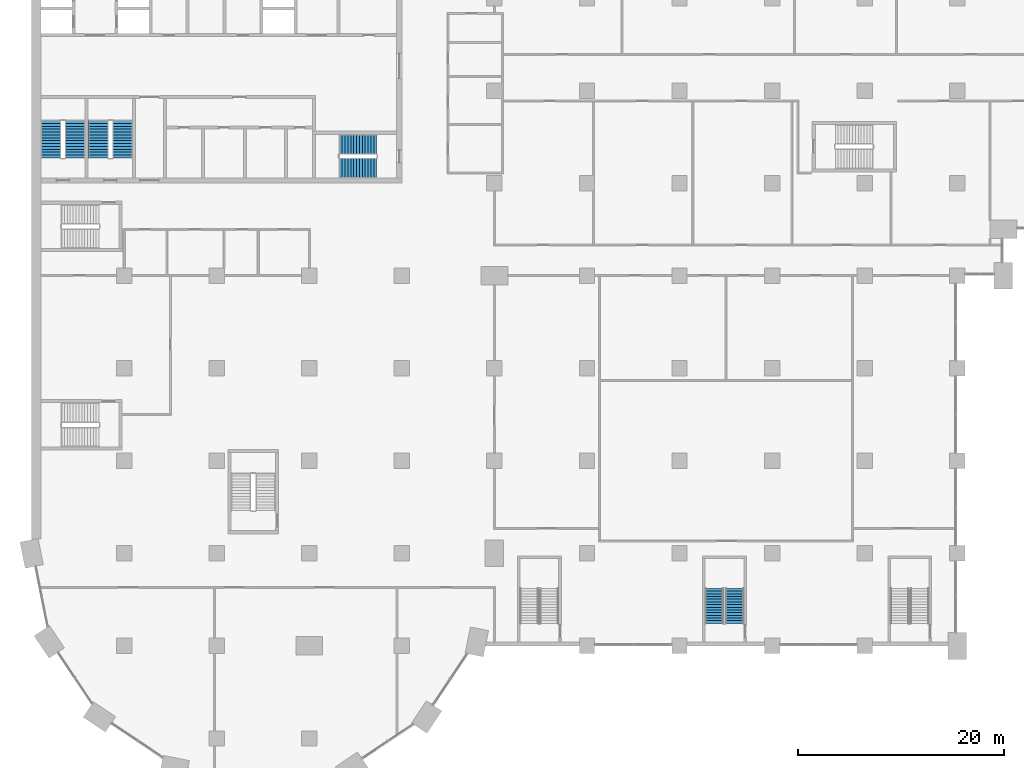
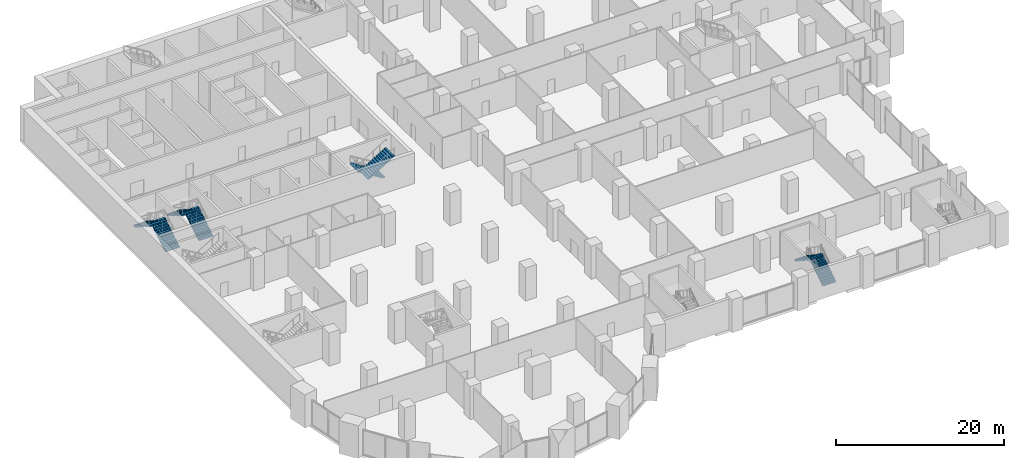
# One storey, part 22 of 31: 8 stair flights, 4 elements without a shape of their own.
"""IFC4 building model written with IfcOpenShell, lengths in metres."""

from ifc_helpers import new_model, si_unit, direction, frame, origin, place, context, subcontext, project, spatial, polyline, outline, extrude, material, type_object, element, aggregate, save


model = new_model("IFC4")

# Units and contexts
model_context = context("Model", 3, precision=1e-05, world=origin(), true_north=direction((0.0, 1.0)))
body_context = subcontext(model_context, "Body", "Model", "MODEL_VIEW")
ifc_project = project(units=[si_unit("LENGTHUNIT", "METRE"), si_unit("AREAUNIT", "SQUARE_METRE"), si_unit("VOLUMEUNIT", "CUBIC_METRE"), si_unit("PLANEANGLEUNIT", "RADIAN"), si_unit("MASSUNIT", "GRAM", prefix="KILO")], contexts=[model_context])

# Site, building, storey
site_placement = place(None, origin())
site = spatial("IfcSite", under=ifc_project, at=site_placement, CompositionType="ELEMENT")
building_placement = place(site_placement, origin())
building = spatial("IfcBuilding", under=site, at=building_placement, Name="Hunhe Ridgeline Campus", CompositionType="ELEMENT")
storey_placement = place(building_placement, frame((0.0, 0.0, 16.800048828125)))
storey = spatial("IfcBuildingStorey", under=building, at=storey_placement, Name="L03", CompositionType="ELEMENT", Elevation=16.800048828125)

# Stair, stair flights
ifc_material = material(Name="Concrete C40", Category="concrete")
stair_type_1 = type_object("IfcStairType", Name="Podium exit stair 1800", PredefinedType="HALF_TURN_STAIR", material=ifc_material)
stair_1_placement = place(storey_placement, origin())
stair_1 = element("IfcStair", 1, at=stair_1_placement, inside=storey, type_object=stair_type_1, Name="L03 podium stair PS2", PredefinedType="HALF_TURN_STAIR")
stair_flight_type_1 = type_object("IfcStairFlightType", Name="Podium stair flight 1800", PredefinedType="STRAIGHT", material=ifc_material)
stair_flight_1_placement = place(storey_placement, frame((68.35009765625, 20.199951171875, 0.0), z_axis=(0.0, 0.0, 1.0), x_axis=(0.0, 1.0, 0.0)))
stair_flight_1 = element("IfcStairFlight", 2, at=stair_flight_1_placement, type_object=stair_flight_type_1, Name="PS2 flight 1", NumberOfRisers=14, NumberOfTreads=13, PredefinedType="STRAIGHT", RiserHeight=0.171428571, TreadLength=0.26, context=body_context, shape_type="SweptSolid", body=[
    extrude(outline(polyline([(0.0, 0.0), (0.0, 0.17138671875), (0.260009765625, 0.17138671875), (0.260009765625, 0.3427734375), (0.52001953125, 0.3427734375), (0.52001953125, 0.514404296875), (0.780029296875, 0.514404296875), (0.780029296875, 0.685791015625), (1.0400390625, 0.685791015625), (1.0400390625, 0.857177734375), (1.300048828125, 0.857177734375), (1.300048828125, 1.028564453125), (1.56005859375, 1.028564453125), (1.56005859375, 1.199951171875), (1.820068359375, 1.199951171875), (1.820068359375, 1.371337890625), (2.080078125, 1.371337890625), (2.080078125, 1.54296875), (2.340087890625, 1.54296875), (2.340087890625, 1.71435546875), (2.60009765625, 1.71435546875), (2.60009765625, 1.8857421875), (2.860107421875, 1.8857421875), (2.860107421875, 2.05712890625), (3.1201171875, 2.05712890625), (3.1201171875, 2.228515625), (3.3798828125, 2.228515625), (3.3798828125, 2.39990234375), (3.3798828125, 2.049072265625), (0.272216796875, 0.0), (0.0, 0.0)])), frame((0.0, 0.89990234375, 0.0), z_axis=(0.0, -1.0, 0.0), x_axis=(1.0, 0.0, 0.0)), (0.0, 0.0, 1.0), 1.800048828125),
])
stair_flight_2_placement = place(storey_placement, frame((66.39990234375, 23.580078125, 2.39990234375), z_axis=(0.0, 0.0, 1.0), x_axis=(0.0, -1.0, 0.0)))
stair_flight_2 = element("IfcStairFlight", 3, at=stair_flight_2_placement, type_object=stair_flight_type_1, Name="PS2 flight 2", NumberOfRisers=14, NumberOfTreads=13, PredefinedType="STRAIGHT", RiserHeight=0.171428571, TreadLength=0.26, context=body_context, shape_type="SweptSolid", body=[
    extrude(outline(polyline([(0.0, 0.0), (0.0, 0.17138671875), (0.260009765625, 0.17138671875), (0.260009765625, 0.3427734375), (0.52001953125, 0.3427734375), (0.52001953125, 0.514404296875), (0.780029296875, 0.514404296875), (0.780029296875, 0.685791015625), (1.0400390625, 0.685791015625), (1.0400390625, 0.857177734375), (1.300048828125, 0.857177734375), (1.300048828125, 1.028564453125), (1.56005859375, 1.028564453125), (1.56005859375, 1.199951171875), (1.820068359375, 1.199951171875), (1.820068359375, 1.371337890625), (2.080078125, 1.371337890625), (2.080078125, 1.54296875), (2.340087890625, 1.54296875), (2.340087890625, 1.71435546875), (2.60009765625, 1.71435546875), (2.60009765625, 1.8857421875), (2.860107421875, 1.8857421875), (2.860107421875, 2.05712890625), (3.1201171875, 2.05712890625), (3.1201171875, 2.228515625), (3.3798828125, 2.228515625), (3.3798828125, 2.39990234375), (3.3798828125, 2.049072265625), (0.272216796875, 0.0), (0.0, 0.0)])), frame((0.0, 0.89990234375, 0.0), z_axis=(0.0, -1.0, 0.0), x_axis=(1.0, 0.0, 0.0)), (0.0, 0.0, 1.0), 1.800048828125),
])
aggregate(stair_1, [stair_flight_1, stair_flight_2])

stair_type_2 = type_object("IfcStairType", Name="Reinforced concrete dog-leg stair 1950 Concrete C40", PredefinedType="HALF_TURN_STAIR", material=ifc_material)
stair_2_placement = place(storey_placement, origin())
stair_2 = element("IfcStair", 4, at=stair_2_placement, inside=storey, type_object=stair_type_2, Name="L03 S2", PredefinedType="HALF_TURN_STAIR")
stair_flight_type_2 = type_object("IfcStairFlightType", Name="Reinforced concrete stair flight 1950 Concrete C40", PredefinedType="STRAIGHT", material=ifc_material)
stair_flight_3_placement = place(storey_placement, frame((33.550048828125, 66.77490234375, 0.0), z_axis=(0.0, 0.0, 1.0), x_axis=(-1.0, 0.0, 0.0)))
stair_flight_3 = element("IfcStairFlight", 5, at=stair_flight_3_placement, type_object=stair_flight_type_2, Name="ST2 flight 1", NumberOfRisers=14, NumberOfTreads=13, PredefinedType="STRAIGHT", RiserHeight=0.171428571, TreadLength=0.28, context=body_context, shape_type="SweptSolid", body=[
    extrude(outline(polyline([(0.0, 0.0), (0.0, 0.17138671875), (0.280029296875, 0.17138671875), (0.280029296875, 0.3427734375), (0.56005859375, 0.3427734375), (0.56005859375, 0.514404296875), (0.840087890625, 0.514404296875), (0.840087890625, 0.685791015625), (1.1201171875, 0.685791015625), (1.1201171875, 0.857177734375), (1.39990234375, 0.857177734375), (1.39990234375, 1.028564453125), (1.679931640625, 1.028564453125), (1.679931640625, 1.199951171875), (1.9599609375, 1.199951171875), (1.9599609375, 1.371337890625), (2.239990234375, 1.371337890625), (2.239990234375, 1.54296875), (2.52001953125, 1.54296875), (2.52001953125, 1.71435546875), (2.800048828125, 1.71435546875), (2.800048828125, 1.8857421875), (3.080078125, 1.8857421875), (3.080078125, 2.05712890625), (3.360107421875, 2.05712890625), (3.360107421875, 2.228515625), (3.639892578125, 2.228515625), (3.639892578125, 2.39990234375), (3.639892578125, 2.052734375), (0.287109375, 0.0), (0.0, 0.0)])), frame((0.0, 0.97509765625, 0.0), z_axis=(0.0, -1.0, 0.0), x_axis=(1.0, 0.0, 0.0)), (0.0, 0.0, 1.0), 1.949951171875),
    extrude(outline(polyline([(0.030029296875, 0.030029296875), (0.030029296875, 0.141357421875), (0.31005859375, 0.141357421875), (0.31005859375, 0.31298828125), (0.590087890625, 0.31298828125), (0.590087890625, 0.484375), (0.8701171875, 0.484375), (0.8701171875, 0.65576171875), (1.14990234375, 0.65576171875), (1.14990234375, 0.8271484375), (1.429931640625, 0.8271484375), (1.429931640625, 0.99853515625), (1.7099609375, 0.99853515625), (1.7099609375, 1.169921875), (1.989990234375, 1.169921875), (1.989990234375, 1.34130859375), (2.27001953125, 1.34130859375), (2.27001953125, 1.512939453125), (2.550048828125, 1.512939453125), (2.550048828125, 1.684326171875), (2.830078125, 1.684326171875), (2.830078125, 1.855712890625), (3.110107421875, 1.855712890625), (3.110107421875, 2.027099609375), (3.389892578125, 2.027099609375), (3.389892578125, 2.198486328125), (3.610107421875, 2.198486328125), (3.610107421875, 2.069580078125), (0.278564453125, 0.030029296875), (0.030029296875, 0.030029296875)])), frame((0.0, -0.070068359375, 0.0), z_axis=(0.0, -1.0, 0.0), x_axis=(1.0, 0.0, 0.0)), (0.0, 0.0, 1.0), 0.019775390625),
    extrude(outline(polyline([(0.030029296875, 0.030029296875), (0.030029296875, 0.141357421875), (0.31005859375, 0.141357421875), (0.31005859375, 0.31298828125), (0.590087890625, 0.31298828125), (0.590087890625, 0.484375), (0.8701171875, 0.484375), (0.8701171875, 0.65576171875), (1.14990234375, 0.65576171875), (1.14990234375, 0.8271484375), (1.429931640625, 0.8271484375), (1.429931640625, 0.99853515625), (1.7099609375, 0.99853515625), (1.7099609375, 1.169921875), (1.989990234375, 1.169921875), (1.989990234375, 1.34130859375), (2.27001953125, 1.34130859375), (2.27001953125, 1.512939453125), (2.550048828125, 1.512939453125), (2.550048828125, 1.684326171875), (2.830078125, 1.684326171875), (2.830078125, 1.855712890625), (3.110107421875, 1.855712890625), (3.110107421875, 2.027099609375), (3.389892578125, 2.027099609375), (3.389892578125, 2.198486328125), (3.610107421875, 2.198486328125), (3.610107421875, 2.069580078125), (0.278564453125, 0.030029296875), (0.030029296875, 0.030029296875)])), frame((0.0, 0.010009765625, 0.0), z_axis=(0.0, -1.0, 0.0), x_axis=(1.0, 0.0, 0.0)), (0.0, 0.0, 1.0), 0.019775390625),
    extrude(outline(polyline([(0.030029296875, 0.030029296875), (0.030029296875, 0.141357421875), (0.31005859375, 0.141357421875), (0.31005859375, 0.31298828125), (0.590087890625, 0.31298828125), (0.590087890625, 0.484375), (0.8701171875, 0.484375), (0.8701171875, 0.65576171875), (1.14990234375, 0.65576171875), (1.14990234375, 0.8271484375), (1.429931640625, 0.8271484375), (1.429931640625, 0.99853515625), (1.7099609375, 0.99853515625), (1.7099609375, 1.169921875), (1.989990234375, 1.169921875), (1.989990234375, 1.34130859375), (2.27001953125, 1.34130859375), (2.27001953125, 1.512939453125), (2.550048828125, 1.512939453125), (2.550048828125, 1.684326171875), (2.830078125, 1.684326171875), (2.830078125, 1.855712890625), (3.110107421875, 1.855712890625), (3.110107421875, 2.027099609375), (3.389892578125, 2.027099609375), (3.389892578125, 2.198486328125), (3.610107421875, 2.198486328125), (3.610107421875, 2.069580078125), (0.278564453125, 0.030029296875), (0.030029296875, 0.030029296875)])), frame((0.0, 0.090087890625, 0.0), z_axis=(0.0, -1.0, 0.0), x_axis=(1.0, 0.0, 0.0)), (0.0, 0.0, 1.0), 0.019775390625),
])
stair_flight_4_placement = place(storey_placement, frame((29.909912109375, 64.47509765625, 2.39990234375), z_axis=(0.0, 0.0, 1.0), x_axis=(1.0, 0.0, 0.0)))
stair_flight_4 = element("IfcStairFlight", 6, at=stair_flight_4_placement, type_object=stair_flight_type_2, Name="ST2 flight 2", NumberOfRisers=14, NumberOfTreads=13, PredefinedType="STRAIGHT", RiserHeight=0.171428571, TreadLength=0.28, context=body_context, shape_type="SweptSolid", body=[
    extrude(outline(polyline([(0.0, 0.0), (0.0, 0.17138671875), (0.280029296875, 0.17138671875), (0.280029296875, 0.3427734375), (0.56005859375, 0.3427734375), (0.56005859375, 0.514404296875), (0.840087890625, 0.514404296875), (0.840087890625, 0.685791015625), (1.1201171875, 0.685791015625), (1.1201171875, 0.857177734375), (1.39990234375, 0.857177734375), (1.39990234375, 1.028564453125), (1.679931640625, 1.028564453125), (1.679931640625, 1.199951171875), (1.9599609375, 1.199951171875), (1.9599609375, 1.371337890625), (2.239990234375, 1.371337890625), (2.239990234375, 1.54296875), (2.52001953125, 1.54296875), (2.52001953125, 1.71435546875), (2.800048828125, 1.71435546875), (2.800048828125, 1.8857421875), (3.080078125, 1.8857421875), (3.080078125, 2.05712890625), (3.360107421875, 2.05712890625), (3.360107421875, 2.228515625), (3.639892578125, 2.228515625), (3.639892578125, 2.39990234375), (3.639892578125, 2.052734375), (0.287109375, 0.0), (0.0, 0.0)])), frame((0.0, 0.97509765625, 0.0), z_axis=(0.0, -1.0, 0.0), x_axis=(1.0, 0.0, 0.0)), (0.0, 0.0, 1.0), 1.949951171875),
    extrude(outline(polyline([(0.030029296875, 0.030029296875), (0.030029296875, 0.141357421875), (0.31005859375, 0.141357421875), (0.31005859375, 0.31298828125), (0.590087890625, 0.31298828125), (0.590087890625, 0.484375), (0.8701171875, 0.484375), (0.8701171875, 0.65576171875), (1.14990234375, 0.65576171875), (1.14990234375, 0.8271484375), (1.429931640625, 0.8271484375), (1.429931640625, 0.99853515625), (1.7099609375, 0.99853515625), (1.7099609375, 1.169921875), (1.989990234375, 1.169921875), (1.989990234375, 1.34130859375), (2.27001953125, 1.34130859375), (2.27001953125, 1.512939453125), (2.550048828125, 1.512939453125), (2.550048828125, 1.684326171875), (2.830078125, 1.684326171875), (2.830078125, 1.855712890625), (3.110107421875, 1.855712890625), (3.110107421875, 2.027099609375), (3.389892578125, 2.027099609375), (3.389892578125, 2.198486328125), (3.610107421875, 2.198486328125), (3.610107421875, 2.069580078125), (0.278564453125, 0.030029296875), (0.030029296875, 0.030029296875)])), frame((0.0, -0.070068359375, 0.0), z_axis=(0.0, -1.0, 0.0), x_axis=(1.0, 0.0, 0.0)), (0.0, 0.0, 1.0), 0.019775390625),
    extrude(outline(polyline([(0.030029296875, 0.030029296875), (0.030029296875, 0.141357421875), (0.31005859375, 0.141357421875), (0.31005859375, 0.31298828125), (0.590087890625, 0.31298828125), (0.590087890625, 0.484375), (0.8701171875, 0.484375), (0.8701171875, 0.65576171875), (1.14990234375, 0.65576171875), (1.14990234375, 0.8271484375), (1.429931640625, 0.8271484375), (1.429931640625, 0.99853515625), (1.7099609375, 0.99853515625), (1.7099609375, 1.169921875), (1.989990234375, 1.169921875), (1.989990234375, 1.34130859375), (2.27001953125, 1.34130859375), (2.27001953125, 1.512939453125), (2.550048828125, 1.512939453125), (2.550048828125, 1.684326171875), (2.830078125, 1.684326171875), (2.830078125, 1.855712890625), (3.110107421875, 1.855712890625), (3.110107421875, 2.027099609375), (3.389892578125, 2.027099609375), (3.389892578125, 2.198486328125), (3.610107421875, 2.198486328125), (3.610107421875, 2.069580078125), (0.278564453125, 0.030029296875), (0.030029296875, 0.030029296875)])), frame((0.0, 0.010009765625, 0.0), z_axis=(0.0, -1.0, 0.0), x_axis=(1.0, 0.0, 0.0)), (0.0, 0.0, 1.0), 0.019775390625),
    extrude(outline(polyline([(0.030029296875, 0.030029296875), (0.030029296875, 0.141357421875), (0.31005859375, 0.141357421875), (0.31005859375, 0.31298828125), (0.590087890625, 0.31298828125), (0.590087890625, 0.484375), (0.8701171875, 0.484375), (0.8701171875, 0.65576171875), (1.14990234375, 0.65576171875), (1.14990234375, 0.8271484375), (1.429931640625, 0.8271484375), (1.429931640625, 0.99853515625), (1.7099609375, 0.99853515625), (1.7099609375, 1.169921875), (1.989990234375, 1.169921875), (1.989990234375, 1.34130859375), (2.27001953125, 1.34130859375), (2.27001953125, 1.512939453125), (2.550048828125, 1.512939453125), (2.550048828125, 1.684326171875), (2.830078125, 1.684326171875), (2.830078125, 1.855712890625), (3.110107421875, 1.855712890625), (3.110107421875, 2.027099609375), (3.389892578125, 2.027099609375), (3.389892578125, 2.198486328125), (3.610107421875, 2.198486328125), (3.610107421875, 2.069580078125), (0.278564453125, 0.030029296875), (0.030029296875, 0.030029296875)])), frame((0.0, 0.090087890625, 0.0), z_axis=(0.0, -1.0, 0.0), x_axis=(1.0, 0.0, 0.0)), (0.0, 0.0, 1.0), 0.019775390625),
])
aggregate(stair_2, [stair_flight_3, stair_flight_4])

stair_3_placement = place(storey_placement, origin())
stair_3 = element("IfcStair", 7, at=stair_3_placement, inside=storey, type_object=stair_type_2, Name="L03 S3", PredefinedType="HALF_TURN_STAIR")
stair_flight_5_placement = place(storey_placement, frame((4.22509765625, 65.449951171875, 0.0), z_axis=(0.0, 0.0, 1.0), x_axis=(0.0, 1.0, 0.0)))
stair_flight_5 = element("IfcStairFlight", 8, at=stair_flight_5_placement, type_object=stair_flight_type_2, Name="ST3 flight 1", NumberOfRisers=14, NumberOfTreads=13, PredefinedType="STRAIGHT", RiserHeight=0.171428571, TreadLength=0.28, context=body_context, shape_type="SweptSolid", body=[
    extrude(outline(polyline([(0.0, 0.0), (0.0, 0.17138671875), (0.280029296875, 0.17138671875), (0.280029296875, 0.3427734375), (0.56005859375, 0.3427734375), (0.56005859375, 0.514404296875), (0.840087890625, 0.514404296875), (0.840087890625, 0.685791015625), (1.1201171875, 0.685791015625), (1.1201171875, 0.857177734375), (1.39990234375, 0.857177734375), (1.39990234375, 1.028564453125), (1.679931640625, 1.028564453125), (1.679931640625, 1.199951171875), (1.9599609375, 1.199951171875), (1.9599609375, 1.371337890625), (2.239990234375, 1.371337890625), (2.239990234375, 1.54296875), (2.52001953125, 1.54296875), (2.52001953125, 1.71435546875), (2.800048828125, 1.71435546875), (2.800048828125, 1.8857421875), (3.080078125, 1.8857421875), (3.080078125, 2.05712890625), (3.360107421875, 2.05712890625), (3.360107421875, 2.228515625), (3.639892578125, 2.228515625), (3.639892578125, 2.39990234375), (3.639892578125, 2.052734375), (0.287109375, 0.0), (0.0, 0.0)])), frame((0.0, 0.97509765625, 0.0), z_axis=(0.0, -1.0, 0.0), x_axis=(1.0, 0.0, 0.0)), (0.0, 0.0, 1.0), 1.949951171875),
    extrude(outline(polyline([(0.030029296875, 0.030029296875), (0.030029296875, 0.141357421875), (0.31005859375, 0.141357421875), (0.31005859375, 0.31298828125), (0.590087890625, 0.31298828125), (0.590087890625, 0.484375), (0.8701171875, 0.484375), (0.8701171875, 0.65576171875), (1.14990234375, 0.65576171875), (1.14990234375, 0.8271484375), (1.429931640625, 0.8271484375), (1.429931640625, 0.99853515625), (1.7099609375, 0.99853515625), (1.7099609375, 1.169921875), (1.989990234375, 1.169921875), (1.989990234375, 1.34130859375), (2.27001953125, 1.34130859375), (2.27001953125, 1.512939453125), (2.550048828125, 1.512939453125), (2.550048828125, 1.684326171875), (2.830078125, 1.684326171875), (2.830078125, 1.855712890625), (3.110107421875, 1.855712890625), (3.110107421875, 2.027099609375), (3.389892578125, 2.027099609375), (3.389892578125, 2.198486328125), (3.610107421875, 2.198486328125), (3.610107421875, 2.069580078125), (0.278564453125, 0.030029296875), (0.030029296875, 0.030029296875)])), frame((0.0, -0.070068359375, 0.0), z_axis=(0.0, -1.0, 0.0), x_axis=(1.0, 0.0, 0.0)), (0.0, 0.0, 1.0), 0.019775390625),
    extrude(outline(polyline([(0.030029296875, 0.030029296875), (0.030029296875, 0.141357421875), (0.31005859375, 0.141357421875), (0.31005859375, 0.31298828125), (0.590087890625, 0.31298828125), (0.590087890625, 0.484375), (0.8701171875, 0.484375), (0.8701171875, 0.65576171875), (1.14990234375, 0.65576171875), (1.14990234375, 0.8271484375), (1.429931640625, 0.8271484375), (1.429931640625, 0.99853515625), (1.7099609375, 0.99853515625), (1.7099609375, 1.169921875), (1.989990234375, 1.169921875), (1.989990234375, 1.34130859375), (2.27001953125, 1.34130859375), (2.27001953125, 1.512939453125), (2.550048828125, 1.512939453125), (2.550048828125, 1.684326171875), (2.830078125, 1.684326171875), (2.830078125, 1.855712890625), (3.110107421875, 1.855712890625), (3.110107421875, 2.027099609375), (3.389892578125, 2.027099609375), (3.389892578125, 2.198486328125), (3.610107421875, 2.198486328125), (3.610107421875, 2.069580078125), (0.278564453125, 0.030029296875), (0.030029296875, 0.030029296875)])), frame((0.0, 0.010009765625, 0.0), z_axis=(0.0, -1.0, 0.0), x_axis=(1.0, 0.0, 0.0)), (0.0, 0.0, 1.0), 0.019775390625),
    extrude(outline(polyline([(0.030029296875, 0.030029296875), (0.030029296875, 0.141357421875), (0.31005859375, 0.141357421875), (0.31005859375, 0.31298828125), (0.590087890625, 0.31298828125), (0.590087890625, 0.484375), (0.8701171875, 0.484375), (0.8701171875, 0.65576171875), (1.14990234375, 0.65576171875), (1.14990234375, 0.8271484375), (1.429931640625, 0.8271484375), (1.429931640625, 0.99853515625), (1.7099609375, 0.99853515625), (1.7099609375, 1.169921875), (1.989990234375, 1.169921875), (1.989990234375, 1.34130859375), (2.27001953125, 1.34130859375), (2.27001953125, 1.512939453125), (2.550048828125, 1.512939453125), (2.550048828125, 1.684326171875), (2.830078125, 1.684326171875), (2.830078125, 1.855712890625), (3.110107421875, 1.855712890625), (3.110107421875, 2.027099609375), (3.389892578125, 2.027099609375), (3.389892578125, 2.198486328125), (3.610107421875, 2.198486328125), (3.610107421875, 2.069580078125), (0.278564453125, 0.030029296875), (0.030029296875, 0.030029296875)])), frame((0.0, 0.090087890625, 0.0), z_axis=(0.0, -1.0, 0.0), x_axis=(1.0, 0.0, 0.0)), (0.0, 0.0, 1.0), 0.019775390625),
])
stair_flight_6_placement = place(storey_placement, frame((1.875, 69.090087890625, 2.39990234375), z_axis=(0.0, 0.0, 1.0), x_axis=(0.0, -1.0, 0.0)))
stair_flight_6 = element("IfcStairFlight", 9, at=stair_flight_6_placement, type_object=stair_flight_type_2, Name="ST3 flight 2", NumberOfRisers=14, NumberOfTreads=13, PredefinedType="STRAIGHT", RiserHeight=0.171428571, TreadLength=0.28, context=body_context, shape_type="SweptSolid", body=[
    extrude(outline(polyline([(0.0, 0.0), (0.0, 0.17138671875), (0.280029296875, 0.17138671875), (0.280029296875, 0.3427734375), (0.56005859375, 0.3427734375), (0.56005859375, 0.514404296875), (0.840087890625, 0.514404296875), (0.840087890625, 0.685791015625), (1.1201171875, 0.685791015625), (1.1201171875, 0.857177734375), (1.39990234375, 0.857177734375), (1.39990234375, 1.028564453125), (1.679931640625, 1.028564453125), (1.679931640625, 1.199951171875), (1.9599609375, 1.199951171875), (1.9599609375, 1.371337890625), (2.239990234375, 1.371337890625), (2.239990234375, 1.54296875), (2.52001953125, 1.54296875), (2.52001953125, 1.71435546875), (2.800048828125, 1.71435546875), (2.800048828125, 1.8857421875), (3.080078125, 1.8857421875), (3.080078125, 2.05712890625), (3.360107421875, 2.05712890625), (3.360107421875, 2.228515625), (3.639892578125, 2.228515625), (3.639892578125, 2.39990234375), (3.639892578125, 2.052734375), (0.287109375, 0.0), (0.0, 0.0)])), frame((0.0, 0.97509765625, 0.0), z_axis=(0.0, -1.0, 0.0), x_axis=(1.0, 0.0, 0.0)), (0.0, 0.0, 1.0), 1.949951171875),
    extrude(outline(polyline([(0.030029296875, 0.030029296875), (0.030029296875, 0.141357421875), (0.31005859375, 0.141357421875), (0.31005859375, 0.31298828125), (0.590087890625, 0.31298828125), (0.590087890625, 0.484375), (0.8701171875, 0.484375), (0.8701171875, 0.65576171875), (1.14990234375, 0.65576171875), (1.14990234375, 0.8271484375), (1.429931640625, 0.8271484375), (1.429931640625, 0.99853515625), (1.7099609375, 0.99853515625), (1.7099609375, 1.169921875), (1.989990234375, 1.169921875), (1.989990234375, 1.34130859375), (2.27001953125, 1.34130859375), (2.27001953125, 1.512939453125), (2.550048828125, 1.512939453125), (2.550048828125, 1.684326171875), (2.830078125, 1.684326171875), (2.830078125, 1.855712890625), (3.110107421875, 1.855712890625), (3.110107421875, 2.027099609375), (3.389892578125, 2.027099609375), (3.389892578125, 2.198486328125), (3.610107421875, 2.198486328125), (3.610107421875, 2.069580078125), (0.278564453125, 0.030029296875), (0.030029296875, 0.030029296875)])), frame((0.0, -0.070068359375, 0.0), z_axis=(0.0, -1.0, 0.0), x_axis=(1.0, 0.0, 0.0)), (0.0, 0.0, 1.0), 0.019775390625),
    extrude(outline(polyline([(0.030029296875, 0.030029296875), (0.030029296875, 0.141357421875), (0.31005859375, 0.141357421875), (0.31005859375, 0.31298828125), (0.590087890625, 0.31298828125), (0.590087890625, 0.484375), (0.8701171875, 0.484375), (0.8701171875, 0.65576171875), (1.14990234375, 0.65576171875), (1.14990234375, 0.8271484375), (1.429931640625, 0.8271484375), (1.429931640625, 0.99853515625), (1.7099609375, 0.99853515625), (1.7099609375, 1.169921875), (1.989990234375, 1.169921875), (1.989990234375, 1.34130859375), (2.27001953125, 1.34130859375), (2.27001953125, 1.512939453125), (2.550048828125, 1.512939453125), (2.550048828125, 1.684326171875), (2.830078125, 1.684326171875), (2.830078125, 1.855712890625), (3.110107421875, 1.855712890625), (3.110107421875, 2.027099609375), (3.389892578125, 2.027099609375), (3.389892578125, 2.198486328125), (3.610107421875, 2.198486328125), (3.610107421875, 2.069580078125), (0.278564453125, 0.030029296875), (0.030029296875, 0.030029296875)])), frame((0.0, 0.010009765625, 0.0), z_axis=(0.0, -1.0, 0.0), x_axis=(1.0, 0.0, 0.0)), (0.0, 0.0, 1.0), 0.019775390625),
    extrude(outline(polyline([(0.030029296875, 0.030029296875), (0.030029296875, 0.141357421875), (0.31005859375, 0.141357421875), (0.31005859375, 0.31298828125), (0.590087890625, 0.31298828125), (0.590087890625, 0.484375), (0.8701171875, 0.484375), (0.8701171875, 0.65576171875), (1.14990234375, 0.65576171875), (1.14990234375, 0.8271484375), (1.429931640625, 0.8271484375), (1.429931640625, 0.99853515625), (1.7099609375, 0.99853515625), (1.7099609375, 1.169921875), (1.989990234375, 1.169921875), (1.989990234375, 1.34130859375), (2.27001953125, 1.34130859375), (2.27001953125, 1.512939453125), (2.550048828125, 1.512939453125), (2.550048828125, 1.684326171875), (2.830078125, 1.684326171875), (2.830078125, 1.855712890625), (3.110107421875, 1.855712890625), (3.110107421875, 2.027099609375), (3.389892578125, 2.027099609375), (3.389892578125, 2.198486328125), (3.610107421875, 2.198486328125), (3.610107421875, 2.069580078125), (0.278564453125, 0.030029296875), (0.030029296875, 0.030029296875)])), frame((0.0, 0.090087890625, 0.0), z_axis=(0.0, -1.0, 0.0), x_axis=(1.0, 0.0, 0.0)), (0.0, 0.0, 1.0), 0.019775390625),
])
aggregate(stair_3, [stair_flight_5, stair_flight_6])

stair_4_placement = place(storey_placement, origin())
stair_4 = element("IfcStair", 10, at=stair_4_placement, inside=storey, type_object=stair_type_2, Name="L03 S4", PredefinedType="HALF_TURN_STAIR")
stair_flight_7_placement = place(storey_placement, frame((8.824951171875, 65.449951171875, 0.0), z_axis=(0.0, 0.0, 1.0), x_axis=(0.0, 1.0, 0.0)))
stair_flight_7 = element("IfcStairFlight", 11, at=stair_flight_7_placement, type_object=stair_flight_type_2, Name="ST4 flight 1", NumberOfRisers=14, NumberOfTreads=13, PredefinedType="STRAIGHT", RiserHeight=0.171428571, TreadLength=0.28, context=body_context, shape_type="SweptSolid", body=[
    extrude(outline(polyline([(0.0, 0.0), (0.0, 0.17138671875), (0.280029296875, 0.17138671875), (0.280029296875, 0.3427734375), (0.56005859375, 0.3427734375), (0.56005859375, 0.514404296875), (0.840087890625, 0.514404296875), (0.840087890625, 0.685791015625), (1.1201171875, 0.685791015625), (1.1201171875, 0.857177734375), (1.39990234375, 0.857177734375), (1.39990234375, 1.028564453125), (1.679931640625, 1.028564453125), (1.679931640625, 1.199951171875), (1.9599609375, 1.199951171875), (1.9599609375, 1.371337890625), (2.239990234375, 1.371337890625), (2.239990234375, 1.54296875), (2.52001953125, 1.54296875), (2.52001953125, 1.71435546875), (2.800048828125, 1.71435546875), (2.800048828125, 1.8857421875), (3.080078125, 1.8857421875), (3.080078125, 2.05712890625), (3.360107421875, 2.05712890625), (3.360107421875, 2.228515625), (3.639892578125, 2.228515625), (3.639892578125, 2.39990234375), (3.639892578125, 2.052734375), (0.287109375, 0.0), (0.0, 0.0)])), frame((0.0, 0.97509765625, 0.0), z_axis=(0.0, -1.0, 0.0), x_axis=(1.0, 0.0, 0.0)), (0.0, 0.0, 1.0), 1.949951171875),
    extrude(outline(polyline([(0.030029296875, 0.030029296875), (0.030029296875, 0.141357421875), (0.31005859375, 0.141357421875), (0.31005859375, 0.31298828125), (0.590087890625, 0.31298828125), (0.590087890625, 0.484375), (0.8701171875, 0.484375), (0.8701171875, 0.65576171875), (1.14990234375, 0.65576171875), (1.14990234375, 0.8271484375), (1.429931640625, 0.8271484375), (1.429931640625, 0.99853515625), (1.7099609375, 0.99853515625), (1.7099609375, 1.169921875), (1.989990234375, 1.169921875), (1.989990234375, 1.34130859375), (2.27001953125, 1.34130859375), (2.27001953125, 1.512939453125), (2.550048828125, 1.512939453125), (2.550048828125, 1.684326171875), (2.830078125, 1.684326171875), (2.830078125, 1.855712890625), (3.110107421875, 1.855712890625), (3.110107421875, 2.027099609375), (3.389892578125, 2.027099609375), (3.389892578125, 2.198486328125), (3.610107421875, 2.198486328125), (3.610107421875, 2.069580078125), (0.278564453125, 0.030029296875), (0.030029296875, 0.030029296875)])), frame((0.0, -0.070068359375, 0.0), z_axis=(0.0, -1.0, 0.0), x_axis=(1.0, 0.0, 0.0)), (0.0, 0.0, 1.0), 0.019775390625),
    extrude(outline(polyline([(0.030029296875, 0.030029296875), (0.030029296875, 0.141357421875), (0.31005859375, 0.141357421875), (0.31005859375, 0.31298828125), (0.590087890625, 0.31298828125), (0.590087890625, 0.484375), (0.8701171875, 0.484375), (0.8701171875, 0.65576171875), (1.14990234375, 0.65576171875), (1.14990234375, 0.8271484375), (1.429931640625, 0.8271484375), (1.429931640625, 0.99853515625), (1.7099609375, 0.99853515625), (1.7099609375, 1.169921875), (1.989990234375, 1.169921875), (1.989990234375, 1.34130859375), (2.27001953125, 1.34130859375), (2.27001953125, 1.512939453125), (2.550048828125, 1.512939453125), (2.550048828125, 1.684326171875), (2.830078125, 1.684326171875), (2.830078125, 1.855712890625), (3.110107421875, 1.855712890625), (3.110107421875, 2.027099609375), (3.389892578125, 2.027099609375), (3.389892578125, 2.198486328125), (3.610107421875, 2.198486328125), (3.610107421875, 2.069580078125), (0.278564453125, 0.030029296875), (0.030029296875, 0.030029296875)])), frame((0.0, 0.010009765625, 0.0), z_axis=(0.0, -1.0, 0.0), x_axis=(1.0, 0.0, 0.0)), (0.0, 0.0, 1.0), 0.019775390625),
    extrude(outline(polyline([(0.030029296875, 0.030029296875), (0.030029296875, 0.141357421875), (0.31005859375, 0.141357421875), (0.31005859375, 0.31298828125), (0.590087890625, 0.31298828125), (0.590087890625, 0.484375), (0.8701171875, 0.484375), (0.8701171875, 0.65576171875), (1.14990234375, 0.65576171875), (1.14990234375, 0.8271484375), (1.429931640625, 0.8271484375), (1.429931640625, 0.99853515625), (1.7099609375, 0.99853515625), (1.7099609375, 1.169921875), (1.989990234375, 1.169921875), (1.989990234375, 1.34130859375), (2.27001953125, 1.34130859375), (2.27001953125, 1.512939453125), (2.550048828125, 1.512939453125), (2.550048828125, 1.684326171875), (2.830078125, 1.684326171875), (2.830078125, 1.855712890625), (3.110107421875, 1.855712890625), (3.110107421875, 2.027099609375), (3.389892578125, 2.027099609375), (3.389892578125, 2.198486328125), (3.610107421875, 2.198486328125), (3.610107421875, 2.069580078125), (0.278564453125, 0.030029296875), (0.030029296875, 0.030029296875)])), frame((0.0, 0.090087890625, 0.0), z_axis=(0.0, -1.0, 0.0), x_axis=(1.0, 0.0, 0.0)), (0.0, 0.0, 1.0), 0.019775390625),
])
stair_flight_8_placement = place(storey_placement, frame((6.47509765625, 69.090087890625, 2.39990234375), z_axis=(0.0, 0.0, 1.0), x_axis=(0.0, -1.0, 0.0)))
stair_flight_8 = element("IfcStairFlight", 12, at=stair_flight_8_placement, type_object=stair_flight_type_2, Name="ST4 flight 2", NumberOfRisers=14, NumberOfTreads=13, PredefinedType="STRAIGHT", RiserHeight=0.171428571, TreadLength=0.28, context=body_context, shape_type="SweptSolid", body=[
    extrude(outline(polyline([(0.0, 0.0), (0.0, 0.17138671875), (0.280029296875, 0.17138671875), (0.280029296875, 0.3427734375), (0.56005859375, 0.3427734375), (0.56005859375, 0.514404296875), (0.840087890625, 0.514404296875), (0.840087890625, 0.685791015625), (1.1201171875, 0.685791015625), (1.1201171875, 0.857177734375), (1.39990234375, 0.857177734375), (1.39990234375, 1.028564453125), (1.679931640625, 1.028564453125), (1.679931640625, 1.199951171875), (1.9599609375, 1.199951171875), (1.9599609375, 1.371337890625), (2.239990234375, 1.371337890625), (2.239990234375, 1.54296875), (2.52001953125, 1.54296875), (2.52001953125, 1.71435546875), (2.800048828125, 1.71435546875), (2.800048828125, 1.8857421875), (3.080078125, 1.8857421875), (3.080078125, 2.05712890625), (3.360107421875, 2.05712890625), (3.360107421875, 2.228515625), (3.639892578125, 2.228515625), (3.639892578125, 2.39990234375), (3.639892578125, 2.052734375), (0.287109375, 0.0), (0.0, 0.0)])), frame((0.0, 0.97509765625, 0.0), z_axis=(0.0, -1.0, 0.0), x_axis=(1.0, 0.0, 0.0)), (0.0, 0.0, 1.0), 1.949951171875),
    extrude(outline(polyline([(0.030029296875, 0.030029296875), (0.030029296875, 0.141357421875), (0.31005859375, 0.141357421875), (0.31005859375, 0.31298828125), (0.590087890625, 0.31298828125), (0.590087890625, 0.484375), (0.8701171875, 0.484375), (0.8701171875, 0.65576171875), (1.14990234375, 0.65576171875), (1.14990234375, 0.8271484375), (1.429931640625, 0.8271484375), (1.429931640625, 0.99853515625), (1.7099609375, 0.99853515625), (1.7099609375, 1.169921875), (1.989990234375, 1.169921875), (1.989990234375, 1.34130859375), (2.27001953125, 1.34130859375), (2.27001953125, 1.512939453125), (2.550048828125, 1.512939453125), (2.550048828125, 1.684326171875), (2.830078125, 1.684326171875), (2.830078125, 1.855712890625), (3.110107421875, 1.855712890625), (3.110107421875, 2.027099609375), (3.389892578125, 2.027099609375), (3.389892578125, 2.198486328125), (3.610107421875, 2.198486328125), (3.610107421875, 2.069580078125), (0.278564453125, 0.030029296875), (0.030029296875, 0.030029296875)])), frame((0.0, -0.070068359375, 0.0), z_axis=(0.0, -1.0, 0.0), x_axis=(1.0, 0.0, 0.0)), (0.0, 0.0, 1.0), 0.019775390625),
    extrude(outline(polyline([(0.030029296875, 0.030029296875), (0.030029296875, 0.141357421875), (0.31005859375, 0.141357421875), (0.31005859375, 0.31298828125), (0.590087890625, 0.31298828125), (0.590087890625, 0.484375), (0.8701171875, 0.484375), (0.8701171875, 0.65576171875), (1.14990234375, 0.65576171875), (1.14990234375, 0.8271484375), (1.429931640625, 0.8271484375), (1.429931640625, 0.99853515625), (1.7099609375, 0.99853515625), (1.7099609375, 1.169921875), (1.989990234375, 1.169921875), (1.989990234375, 1.34130859375), (2.27001953125, 1.34130859375), (2.27001953125, 1.512939453125), (2.550048828125, 1.512939453125), (2.550048828125, 1.684326171875), (2.830078125, 1.684326171875), (2.830078125, 1.855712890625), (3.110107421875, 1.855712890625), (3.110107421875, 2.027099609375), (3.389892578125, 2.027099609375), (3.389892578125, 2.198486328125), (3.610107421875, 2.198486328125), (3.610107421875, 2.069580078125), (0.278564453125, 0.030029296875), (0.030029296875, 0.030029296875)])), frame((0.0, 0.010009765625, 0.0), z_axis=(0.0, -1.0, 0.0), x_axis=(1.0, 0.0, 0.0)), (0.0, 0.0, 1.0), 0.019775390625),
    extrude(outline(polyline([(0.030029296875, 0.030029296875), (0.030029296875, 0.141357421875), (0.31005859375, 0.141357421875), (0.31005859375, 0.31298828125), (0.590087890625, 0.31298828125), (0.590087890625, 0.484375), (0.8701171875, 0.484375), (0.8701171875, 0.65576171875), (1.14990234375, 0.65576171875), (1.14990234375, 0.8271484375), (1.429931640625, 0.8271484375), (1.429931640625, 0.99853515625), (1.7099609375, 0.99853515625), (1.7099609375, 1.169921875), (1.989990234375, 1.169921875), (1.989990234375, 1.34130859375), (2.27001953125, 1.34130859375), (2.27001953125, 1.512939453125), (2.550048828125, 1.512939453125), (2.550048828125, 1.684326171875), (2.830078125, 1.684326171875), (2.830078125, 1.855712890625), (3.110107421875, 1.855712890625), (3.110107421875, 2.027099609375), (3.389892578125, 2.027099609375), (3.389892578125, 2.198486328125), (3.610107421875, 2.198486328125), (3.610107421875, 2.069580078125), (0.278564453125, 0.030029296875), (0.030029296875, 0.030029296875)])), frame((0.0, 0.090087890625, 0.0), z_axis=(0.0, -1.0, 0.0), x_axis=(1.0, 0.0, 0.0)), (0.0, 0.0, 1.0), 0.019775390625),
])
aggregate(stair_4, [stair_flight_7, stair_flight_8])

save(model, "model.ifc")
